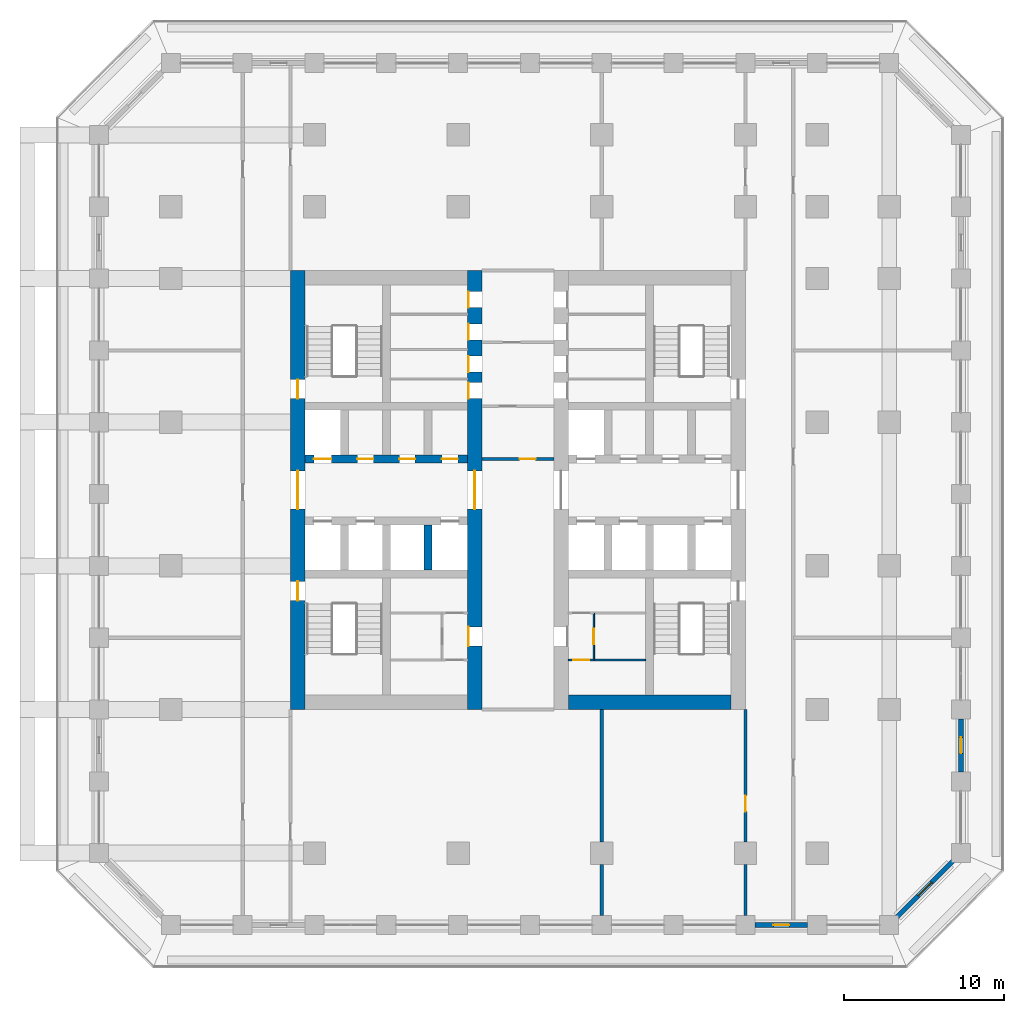
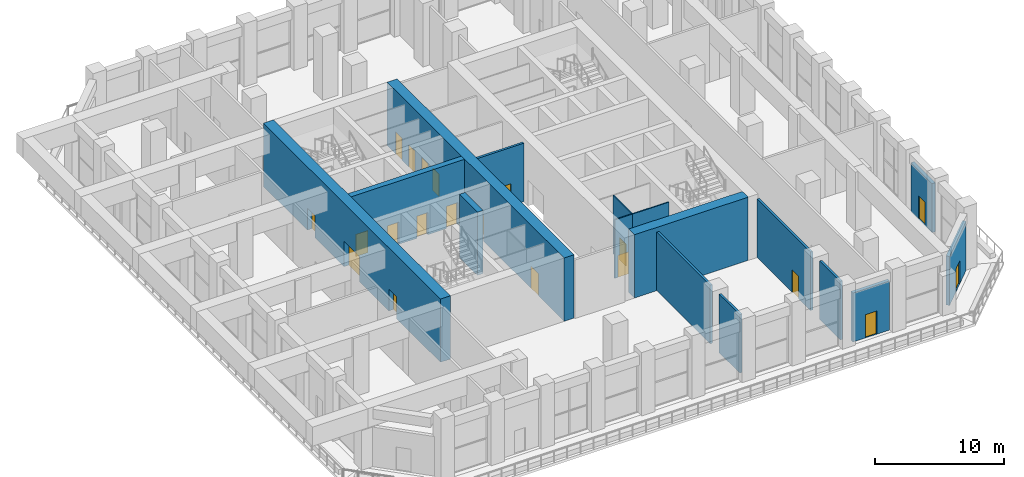
# One storey, part 13 of 24: 20 doors, 16 walls, 20 openings.
"""IFC4 building model written with IfcOpenShell, lengths in metres."""

import ifcopenshell
import ifcopenshell.guid

model = None  # the IFC model being written
_history = None  # IfcOwnerHistory: only IFC2X3 demands one
_inside = {}  # id of a spatial element -> (the spatial element, [elements in it])
_under = {}  # id of a project, library or spatial element -> (it, [spatial elements below it])
_declared = {}  # id of a project -> (the project, [libraries it declares])
_typed = {}  # id of a type object -> (the type object, [elements of that type])
_made_of = {}  # id of a material, layer set ... -> (it, [elements and type objects made of it])


def new_model(schema):
    """Start an empty IFC model of exactly this schema.

    Asked for "IFC4X3", IfcOpenShell would pick the latest addendum, in which some entities
    have other attributes; the version numbers below select the first issue.
    IFC2X3 requires an IfcOwnerHistory on every rooted entity: one is made here for all.
    """
    global model, _history
    if schema == "IFC4X3":
        model = ifcopenshell.file(schema_version=(4, 3, 0, 0))
    else:
        model = ifcopenshell.file(schema=schema)
    _inside.clear()
    _under.clear()
    _declared.clear()
    _typed.clear()
    _made_of.clear()
    _history = None
    if model.schema == "IFC2X3":
        org = make("IfcOrganization", Name="unknown")
        user = make(
            "IfcPersonAndOrganization",
            ThePerson=make("IfcPerson", FamilyName="unknown"),
            TheOrganization=org,
        )
        app = make(
            "IfcApplication",
            ApplicationDeveloper=org,
            Version="unknown",
            ApplicationFullName="unknown",
            ApplicationIdentifier="unknown",
        )
        _history = make(
            "IfcOwnerHistory",
            OwningUser=user,
            OwningApplication=app,
            ChangeAction="ADDED",
            CreationDate=0,
        )
    return model


def make(cls, **values):
    """One entity of the class cls with the attributes given. An attribute that is None is left unset."""
    return model.create_entity(
        cls, **{name: value for name, value in values.items() if value is not None}
    )


def rooted(cls, **values):
    """An entity with a GlobalId (a new one), such as an element, a storey or a relation."""
    return make(cls, GlobalId=ifcopenshell.guid.new(), OwnerHistory=_history, **values)


def si_unit(unit_type, name, prefix=None):
    """IfcSIUnit, for example si_unit("LENGTHUNIT", "METRE", prefix="MILLI")."""
    return make("IfcSIUnit", UnitType=unit_type, Prefix=prefix, Name=name)


def assignment(units):
    """IfcUnitAssignment: the units of a project."""
    return None if units is None else make("IfcUnitAssignment", Units=units)


def point(xyz):
    """IfcCartesianPoint."""
    return None if xyz is None else make("IfcCartesianPoint", Coordinates=xyz)


def direction(xyz):
    """IfcDirection."""
    return None if xyz is None else make("IfcDirection", DirectionRatios=xyz)


def frame(location, z_axis=None, x_axis=None):
    """IfcAxis2Placement3D, a coordinate frame: its origin and axes. An axis left out is left unset."""
    return make(
        "IfcAxis2Placement3D",
        Location=point(location),
        Axis=direction(z_axis),
        RefDirection=direction(x_axis),
    )


def frame_2d(location, x_axis=None):
    """IfcAxis2Placement2D, a coordinate frame in the plane: its origin and x axis."""
    return make(
        "IfcAxis2Placement2D", Location=point(location), RefDirection=direction(x_axis)
    )


def origin():
    """The frame at (0, 0, 0) with its axes left unset."""
    return frame((0.0, 0.0, 0.0))


def place(relative_to, where):
    """IfcLocalPlacement: puts the frame where relative to a parent placement (None: the world)."""
    return make(
        "IfcLocalPlacement", PlacementRelTo=relative_to, RelativePlacement=where
    )


def context(
    kind, dimensions, precision=None, world=None, true_north=None, identifier=None
):
    """IfcGeometricRepresentationContext, for example the 3D "Model" context."""
    return make(
        "IfcGeometricRepresentationContext",
        ContextIdentifier=identifier,
        ContextType=kind,
        CoordinateSpaceDimension=dimensions,
        Precision=precision,
        WorldCoordinateSystem=world,
        TrueNorth=true_north,
    )


def subcontext(parent, identifier, kind, view, scale=None):
    """IfcGeometricRepresentationSubContext, for example "Body" below "Model"."""
    return make(
        "IfcGeometricRepresentationSubContext",
        ContextIdentifier=identifier,
        ContextType=kind,
        ParentContext=parent,
        TargetScale=scale,
        TargetView=view,
    )


def project(units=None, contexts=None):
    """IfcProject with its units and contexts."""
    return rooted(
        "IfcProject",
        Name="project",
        RepresentationContexts=contexts,
        UnitsInContext=assignment(units),
    )


def spatial(cls, under=None, at=None, **own):
    """A site, building, storey or space (cls), placed at a placement, below another one or the project."""
    s = rooted(cls, ObjectPlacement=at, **own)
    if under is not None:
        _under.setdefault(under.id(), (under, []))[1].append(s)
    return s


def profile(cls, at=None, kind="AREA", **sizes):
    """A parametric profile (cls). Its sizes go by their IFC names, for example OverallWidth=200.0."""
    return make(cls, ProfileType=kind, Position=at, **sizes)


def rectangle(**sizes):
    """IfcRectangleProfileDef."""
    return profile("IfcRectangleProfileDef", **sizes)


def extrude(swept, where, along, depth):
    """IfcExtrudedAreaSolid: the profile swept, set in the frame where, extruded along a direction by depth."""
    return make(
        "IfcExtrudedAreaSolid",
        SweptArea=swept,
        Position=where,
        ExtrudedDirection=direction(along),
        Depth=depth,
    )


def shape(context_of_items, identifier, shape_type, items):
    """IfcShapeRepresentation: the items that make up one representation, for example the "Body"."""
    return make(
        "IfcShapeRepresentation",
        ContextOfItems=context_of_items,
        RepresentationIdentifier=identifier,
        RepresentationType=shape_type,
        Items=items,
    )


def material(Name=None, Category=None):
    """IfcMaterial."""
    return make("IfcMaterial", Name=Name, Category=Category)


def layer(
    of_material, thickness, ventilated=None, Name=None, Category=None, Priority=None
):
    """IfcMaterialLayer: one layer of a wall or slab, of a material (None: an air gap)."""
    return make(
        "IfcMaterialLayer",
        Material=of_material,
        LayerThickness=thickness,
        IsVentilated=ventilated,
        Name=Name,
        Category=Category,
        Priority=Priority,
    )


def layer_set(layers, Name=None):
    """IfcMaterialLayerSet."""
    return make("IfcMaterialLayerSet", MaterialLayers=layers, LayerSetName=Name)


def made_of(thing, what):
    """Note that an element or type object is made of a material, layer set ...; save() writes the relation."""
    if what is not None:
        _made_of.setdefault(what.id(), (what, []))[1].append(thing)
    return thing


def type_object(cls, material=None, **own):
    """A type object (cls), such as IfcWallType, which elements share."""
    return made_of(rooted(cls, **own), material)


def element(
    cls,
    number,
    at=None,
    inside=None,
    cuts=None,
    type_object=None,
    material=None,
    context=None,
    identifier="Body",
    shape_type=None,
    held_by="IfcProductDefinitionShape",
    body=None,
    shapes=None,
    **own,
):
    """One element of the class cls, such as IfcWall. Its Tag is "e" and its number.

    at: its placement. inside: the storey or other place that contains it. cuts: it is an
    opening in that element (IfcRelVoidsElement). A single representation is given by context,
    identifier, shape_type and body (its items); several are given by shapes. held_by: the class
    of the entity that holds the representations. save() writes the other relations.
    """
    e = rooted(cls, Tag="e%d" % number, ObjectPlacement=at, **own)
    if body is not None:
        shapes = [shape(context, identifier, shape_type, body)]
    if shapes is not None:
        e.Representation = make(held_by, Representations=shapes)
    if inside is not None:
        _inside.setdefault(inside.id(), (inside, []))[1].append(e)
    if cuts is not None:
        rooted(
            "IfcRelVoidsElement", RelatingBuildingElement=cuts, RelatedOpeningElement=e
        )
    if type_object is not None:
        _typed.setdefault(type_object.id(), (type_object, []))[1].append(e)
    return made_of(e, material)


def fill(opening, filler):
    """IfcRelFillsElement: the door or window that sits in an opening."""
    return rooted(
        "IfcRelFillsElement",
        RelatingOpeningElement=opening,
        RelatedBuildingElement=filler,
    )


def aggregate(whole, parts):
    """IfcRelAggregates: a whole, such as a stair, and the parts it consists of."""
    return rooted("IfcRelAggregates", RelatingObject=whole, RelatedObjects=parts)


def save(model, path):
    """Write the relations noted so far, then the file.

    IfcRelAggregates (storeys below a building ...), IfcRelContainedInSpatialStructure (elements
    in a storey), IfcRelDefinesByType, IfcRelAssociatesMaterial and IfcRelDeclares: one each for
    every whole, place, type object, material and project.
    """
    for whole, parts in _under.values():
        aggregate(whole, parts)
    for where, things in _inside.values():
        rooted(
            "IfcRelContainedInSpatialStructure",
            RelatedElements=things,
            RelatingStructure=where,
        )
    for kind, things in _typed.values():
        rooted("IfcRelDefinesByType", RelatedObjects=things, RelatingType=kind)
    for what, things in _made_of.values():
        rooted("IfcRelAssociatesMaterial", RelatedObjects=things, RelatingMaterial=what)
    for by, libraries in _declared.values():
        rooted("IfcRelDeclares", RelatingContext=by, RelatedDefinitions=libraries)
    model.write(path)


model = new_model("IFC4")

# Units and contexts
model_context = context("Model", 3, precision=1e-05, world=origin(), true_north=direction((0.0, 1.0)))
body_context = subcontext(model_context, "Body", "Model", "MODEL_VIEW")
ifc_project = project(units=[si_unit("LENGTHUNIT", "METRE"), si_unit("AREAUNIT", "SQUARE_METRE"), si_unit("VOLUMEUNIT", "CUBIC_METRE"), si_unit("PLANEANGLEUNIT", "RADIAN"), si_unit("MASSUNIT", "GRAM", prefix="KILO")], contexts=[model_context])

# Site, building, storey
site_placement = place(None, origin())
site = spatial("IfcSite", under=ifc_project, at=site_placement, CompositionType="ELEMENT")
building_placement = place(site_placement, origin())
building = spatial("IfcBuilding", under=site, at=building_placement, Name="Corbel Stack Research Tower", CompositionType="ELEMENT")
storey_placement = place(building_placement, frame((0.0, 0.0, 110.699951171875)))
storey = spatial("IfcBuildingStorey", under=building, at=storey_placement, Name="L25", CompositionType="ELEMENT", Elevation=110.699951171875)

# Wall, openings, doors
ifc_material_1 = material(Name="Concrete C70/85", Category="concrete")
ifc_layer_1 = layer(ifc_material_1, 0.5)
ifc_layer_set_1 = layer_set([ifc_layer_1], Name="Concrete C70/85")
wall_type_1 = type_object("IfcWallType", Name="CW-500-70", PredefinedType="SHEAR", material=ifc_layer_set_1)
wall_1_placement = place(storey_placement, frame((-9.60009765625, 6.699951171875, 0.0), z_axis=(0.0, 0.0, 1.0), x_axis=(1.0, 0.0, 0.0)))
wall_1 = element("IfcWall", 1, at=wall_1_placement, inside=storey, type_object=wall_type_1, Name="West core wall, lobby north L25", PredefinedType="SHEAR", context=body_context, shape_type="SweptSolid", body=[
    extrude(rectangle(XDim=10.2001953125, YDim=0.5, at=frame_2d((5.10009765625, 0.0))), origin(), (0.0, 0.0, 1.0), 6.0),
])
opening_1_placement = place(wall_1_placement, frame((0.5625, 0.0, 0.0)))
opening_1 = element("IfcOpeningElement", 2, at=opening_1_placement, cuts=wall_1, Name="Opening LD-LR2", PredefinedType="OPENING", context=body_context, shape_type="SweptSolid", body=[
    extrude(rectangle(XDim=1.10009765625, YDim=2.10009765625, at=frame_2d((0.550048828125, 1.050048828125))), frame((0.0, 0.260009765625, 0.0), z_axis=(0.0, -1.0, 0.0), x_axis=(1.0, 0.0, 0.0)), (0.0, 0.0, 1.0), 0.52001953125),
])
opening_2_placement = place(wall_1_placement, frame((3.28759765625, 0.0, 0.0)))
opening_2 = element("IfcOpeningElement", 3, at=opening_2_placement, cuts=wall_1, Name="Opening CR-W36-N2", PredefinedType="OPENING", context=body_context, shape_type="SweptSolid", body=[
    extrude(rectangle(XDim=1.0, YDim=2.10009765625, at=frame_2d((0.5, 1.050048828125))), frame((0.0, 0.260009765625, 0.0), z_axis=(0.0, -1.0, 0.0), x_axis=(1.0, 0.0, 0.0)), (0.0, 0.0, 1.0), 0.52001953125),
])
opening_3_placement = place(wall_1_placement, frame((5.91259765625, 0.0, 0.0)))
opening_3 = element("IfcOpeningElement", 4, at=opening_3_placement, cuts=wall_1, Name="Opening CR-W36-N3", PredefinedType="OPENING", context=body_context, shape_type="SweptSolid", body=[
    extrude(rectangle(XDim=1.0, YDim=2.10009765625, at=frame_2d((0.5, 1.050048828125))), frame((0.0, 0.260009765625, 0.0), z_axis=(0.0, -1.0, 0.0), x_axis=(1.0, 0.0, 0.0)), (0.0, 0.0, 1.0), 0.52001953125),
])
opening_4_placement = place(wall_1_placement, frame((8.58740234375, 0.0, 0.0)))
opening_4 = element("IfcOpeningElement", 5, at=opening_4_placement, cuts=wall_1, Name="Opening CR-W36-N4", PredefinedType="OPENING", context=body_context, shape_type="SweptSolid", body=[
    extrude(rectangle(XDim=1.0, YDim=2.10009765625, at=frame_2d((0.5, 1.050048828125))), frame((0.0, 0.260009765625, 0.0), z_axis=(0.0, -1.0, 0.0), x_axis=(1.0, 0.0, 0.0)), (0.0, 0.0, 1.0), 0.52001953125),
])
ifc_material_2 = material(Name="Stainless steel landing door", Category="steel")
door_type_1 = type_object("IfcDoorType", Name="Lift landing door 1100 x 2100", OperationType="DOUBLE_DOOR_SLIDING", PredefinedType="DOOR", material=ifc_material_2)
door_1_placement = place(opening_1_placement, origin())
door_1 = element("IfcDoor", 6, at=door_1_placement, inside=storey, type_object=door_type_1, Name="Landing door LR2", OperationType="DOUBLE_DOOR_SLIDING", OverallHeight=2.10009765625, OverallWidth=1.10009765625, PredefinedType="DOOR", context=body_context, shape_type="SweptSolid", body=[
    extrude(rectangle(XDim=1.10009765625, YDim=2.10009765625, at=frame_2d((0.550048828125, 1.050048828125))), frame((0.0, 0.02490234375, 0.0), z_axis=(0.0, -1.0, 0.0), x_axis=(1.0, 0.0, 0.0)), (0.0, 0.0, 1.0), 0.050048828125),
])
fill(opening_1, door_1)
ifc_material_3 = material(Name="Painted steel door", Category="steel")
door_type_2 = type_object("IfcDoorType", Name="Service door 1000 x 2100 FD60 left hand", OperationType="SINGLE_SWING_LEFT", PredefinedType="DOOR", material=ifc_material_3)
door_2_placement = place(opening_3_placement, origin())
door_2 = element("IfcDoor", 7, at=door_2_placement, inside=storey, type_object=door_type_2, Name="Electrical room door W core", OperationType="SINGLE_SWING_LEFT", OverallHeight=2.10009765625, OverallWidth=1.0, PredefinedType="DOOR", context=body_context, shape_type="SweptSolid", body=[
    extrude(rectangle(XDim=1.0, YDim=2.10009765625, at=frame_2d((0.5, 1.050048828125))), frame((0.0, 0.02490234375, 0.0), z_axis=(0.0, -1.0, 0.0), x_axis=(1.0, 0.0, 0.0)), (0.0, 0.0, 1.0), 0.050048828125),
])
fill(opening_3, door_2)
ifc_material_4 = material(Name="Painted steel door", Category="steel")
door_type_3 = type_object("IfcDoorType", Name="Service door 1000 x 2100 FD60 right hand", OperationType="SINGLE_SWING_RIGHT", PredefinedType="DOOR", material=ifc_material_4)
door_3_placement = place(opening_2_placement, origin())
door_3 = element("IfcDoor", 8, at=door_3_placement, inside=storey, type_object=door_type_3, Name="Records store door W core", OperationType="SINGLE_SWING_RIGHT", OverallHeight=2.10009765625, OverallWidth=1.0, PredefinedType="DOOR", context=body_context, shape_type="SweptSolid", body=[
    extrude(rectangle(XDim=1.0, YDim=2.10009765625, at=frame_2d((0.5, 1.050048828125))), frame((0.0, 0.02490234375, 0.0), z_axis=(0.0, -1.0, 0.0), x_axis=(1.0, 0.0, 0.0)), (0.0, 0.0, 1.0), 0.050048828125),
])
fill(opening_2, door_3)
door_4_placement = place(opening_4_placement, origin())
door_4 = element("IfcDoor", 9, at=door_4_placement, inside=storey, type_object=door_type_3, Name="Pantry door W core", OperationType="SINGLE_SWING_RIGHT", OverallHeight=2.10009765625, OverallWidth=1.0, PredefinedType="DOOR", context=body_context, shape_type="SweptSolid", body=[
    extrude(rectangle(XDim=1.0, YDim=2.10009765625, at=frame_2d((0.5, 1.050048828125))), frame((0.0, 0.02490234375, 0.0), z_axis=(0.0, -1.0, 0.0), x_axis=(1.0, 0.0, 0.0)), (0.0, 0.0, 1.0), 0.050048828125),
])
fill(opening_4, door_4)

# Wall
wall_2_placement = place(storey_placement, frame((-1.875, -0.25, 0.0), z_axis=(0.0, 0.0, 1.0), x_axis=(0.0, 1.0, 0.0)))
element("IfcWall", 10, at=wall_2_placement, inside=storey, type_object=wall_type_1, Name="West core wall, south shaft 3 L25", PredefinedType="SHEAR", context=body_context, shape_type="SweptSolid", body=[
    extrude(rectangle(XDim=2.800048828125, YDim=0.5, at=frame_2d((1.39990234375, 0.0))), origin(), (0.0, 0.0, 1.0), 6.0),
])

# Wall, openings, doors
ifc_material_5 = material(Name="Concrete C70/85", Category="concrete")
ifc_layer_2 = layer(ifc_material_5, 0.89990234375)
ifc_layer_set_2 = layer_set([ifc_layer_2], Name="Concrete C70/85")
wall_type_2 = type_object("IfcWallType", Name="CW-900-70", PredefinedType="SHEAR", material=ifc_layer_set_2)
wall_3_placement = place(storey_placement, frame((-10.050048828125, -9.0, 0.0), z_axis=(0.0, 0.0, 1.0), x_axis=(0.0, 1.0, 0.0)))
wall_3 = element("IfcWall", 11, at=wall_3_placement, inside=storey, type_object=wall_type_2, Name="West core wall, west face L25", PredefinedType="SHEAR", context=body_context, shape_type="SweptSolid", body=[
    extrude(rectangle(XDim=27.5, YDim=0.89990234375, at=frame_2d((13.75, 0.0))), origin(), (0.0, 0.0, 1.0), 6.0),
])
opening_5_placement = place(wall_3_placement, frame((12.550048828125, 0.0, 0.0)))
opening_5 = element("IfcOpeningElement", 12, at=opening_5_placement, cuts=wall_3, Name="Opening CD-W-W", PredefinedType="OPENING", context=body_context, shape_type="SweptSolid", body=[
    extrude(rectangle(XDim=2.39990234375, YDim=2.39990234375, at=frame_2d((1.199951171875, 1.199951171875))), frame((0.0, 0.4599609375, 0.0), z_axis=(0.0, -1.0, 0.0), x_axis=(1.0, 0.0, 0.0)), (0.0, 0.0, 1.0), 0.919921875),
])
opening_6_placement = place(wall_3_placement, frame((6.824951171875, 0.0, 0.0)))
opening_6 = element("IfcOpeningElement", 13, at=opening_6_placement, cuts=wall_3, Name="Opening SD-ST-W1", PredefinedType="OPENING", context=body_context, shape_type="SweptSolid", body=[
    extrude(rectangle(XDim=1.199951171875, YDim=2.10009765625, at=frame_2d((0.60009765625, 1.050048828125))), frame((0.0, 0.4599609375, 0.0), z_axis=(0.0, -1.0, 0.0), x_axis=(1.0, 0.0, 0.0)), (0.0, 0.0, 1.0), 0.919921875),
])
opening_7_placement = place(wall_3_placement, frame((19.47509765625, 0.0, 0.0)))
opening_7 = element("IfcOpeningElement", 14, at=opening_7_placement, cuts=wall_3, Name="Opening SD-ST-W2", PredefinedType="OPENING", context=body_context, shape_type="SweptSolid", body=[
    extrude(rectangle(XDim=1.199951171875, YDim=2.10009765625, at=frame_2d((0.60009765625, 1.050048828125))), frame((0.0, 0.4599609375, 0.0), z_axis=(0.0, -1.0, 0.0), x_axis=(1.0, 0.0, 0.0)), (0.0, 0.0, 1.0), 0.919921875),
])
ifc_material_6 = material(Name="Painted steel fire door", Category="steel")
door_type_4 = type_object("IfcDoorType", Name="Lobby door pair 2400 x 2400 FD30S", OperationType="DOUBLE_DOOR_DOUBLE_SWING", PredefinedType="DOOR", material=ifc_material_6)
door_5_placement = place(opening_5_placement, origin())
door_5 = element("IfcDoor", 15, at=door_5_placement, inside=storey, type_object=door_type_4, Name="Lift lobby door W core W", OperationType="DOUBLE_DOOR_DOUBLE_SWING", OverallHeight=2.39990234375, OverallWidth=2.39990234375, PredefinedType="DOOR", context=body_context, shape_type="SweptSolid", body=[
    extrude(rectangle(XDim=2.39990234375, YDim=2.39990234375, at=frame_2d((1.199951171875, 1.199951171875))), frame((0.0, 0.02490234375, 0.0), z_axis=(0.0, -1.0, 0.0), x_axis=(1.0, 0.0, 0.0)), (0.0, 0.0, 1.0), 0.050048828125),
])
fill(opening_5, door_5)
ifc_material_7 = material(Name="Painted steel fire door", Category="steel")
door_type_5 = type_object("IfcDoorType", Name="Stair door 1200 x 2100 FD90 left hand", OperationType="SINGLE_SWING_LEFT", PredefinedType="DOOR", material=ifc_material_7)
door_6_placement = place(opening_6_placement, origin())
door_6 = element("IfcDoor", 16, at=door_6_placement, inside=storey, type_object=door_type_5, Name="Stair door ST-W1", OperationType="SINGLE_SWING_LEFT", OverallHeight=2.10009765625, OverallWidth=1.199951171875, PredefinedType="DOOR", context=body_context, shape_type="SweptSolid", body=[
    extrude(rectangle(XDim=1.199951171875, YDim=2.10009765625, at=frame_2d((0.60009765625, 1.050048828125))), frame((0.0, 0.02490234375, 0.0), z_axis=(0.0, -1.0, 0.0), x_axis=(1.0, 0.0, 0.0)), (0.0, 0.0, 1.0), 0.050048828125),
])
fill(opening_6, door_6)
door_7_placement = place(opening_7_placement, origin())
door_7 = element("IfcDoor", 17, at=door_7_placement, inside=storey, type_object=door_type_5, Name="Stair door ST-W2", OperationType="SINGLE_SWING_LEFT", OverallHeight=2.10009765625, OverallWidth=1.199951171875, PredefinedType="DOOR", context=body_context, shape_type="SweptSolid", body=[
    extrude(rectangle(XDim=1.199951171875, YDim=2.10009765625, at=frame_2d((0.60009765625, 1.050048828125))), frame((0.0, 0.02490234375, 0.0), z_axis=(0.0, -1.0, 0.0), x_axis=(1.0, 0.0, 0.0)), (0.0, 0.0, 1.0), 0.050048828125),
])
fill(opening_7, door_7)

wall_4_placement = place(storey_placement, frame((1.050048828125, -9.0, 0.0), z_axis=(0.0, 0.0, 1.0), x_axis=(0.0, 1.0, 0.0)))
wall_4 = element("IfcWall", 18, at=wall_4_placement, inside=storey, type_object=wall_type_2, Name="West core wall, east face L25", PredefinedType="SHEAR", context=body_context, shape_type="SweptSolid", body=[
    extrude(rectangle(XDim=27.5, YDim=0.89990234375, at=frame_2d((13.75, 0.0))), origin(), (0.0, 0.0, 1.0), 6.0),
])
opening_8_placement = place(wall_4_placement, frame((12.550048828125, 0.0, 0.0)))
opening_8 = element("IfcOpeningElement", 19, at=opening_8_placement, cuts=wall_4, Name="Opening CD-W-E", PredefinedType="OPENING", context=body_context, shape_type="SweptSolid", body=[
    extrude(rectangle(XDim=2.39990234375, YDim=2.39990234375, at=frame_2d((1.199951171875, 1.199951171875))), frame((0.0, 0.4599609375, 0.0), z_axis=(0.0, -1.0, 0.0), x_axis=(1.0, 0.0, 0.0)), (0.0, 0.0, 1.0), 0.919921875),
])
opening_9_placement = place(wall_4_placement, frame((3.97509765625, 0.0, 0.0)))
opening_9 = element("IfcOpeningElement", 20, at=opening_9_placement, cuts=wall_4, Name="Opening CR-W36-W1-1200", PredefinedType="OPENING", context=body_context, shape_type="SweptSolid", body=[
    extrude(rectangle(XDim=1.199951171875, YDim=2.10009765625, at=frame_2d((0.60009765625, 1.050048828125))), frame((0.0, 0.4599609375, 0.0), z_axis=(0.0, -1.0, 0.0), x_axis=(1.0, 0.0, 0.0)), (0.0, 0.0, 1.0), 0.919921875),
])
opening_10_placement = place(wall_4_placement, frame((19.485107421875, 0.0, 0.0)))
opening_10 = element("IfcOpeningElement", 21, at=opening_10_placement, cuts=wall_4, Name="Opening CR-W36-R1-1000", PredefinedType="OPENING", context=body_context, shape_type="SweptSolid", body=[
    extrude(rectangle(XDim=1.0, YDim=2.10009765625, at=frame_2d((0.5, 1.050048828125))), frame((0.0, 0.4599609375, 0.0), z_axis=(0.0, -1.0, 0.0), x_axis=(1.0, 0.0, 0.0)), (0.0, 0.0, 1.0), 0.919921875),
])
opening_11_placement = place(wall_4_placement, frame((21.138916015625, 0.0, 0.0)))
opening_11 = element("IfcOpeningElement", 22, at=opening_11_placement, cuts=wall_4, Name="Opening CR-W36-R2-1000", PredefinedType="OPENING", context=body_context, shape_type="SweptSolid", body=[
    extrude(rectangle(XDim=1.0, YDim=2.10009765625, at=frame_2d((0.5, 1.050048828125))), frame((0.0, 0.4599609375, 0.0), z_axis=(0.0, -1.0, 0.0), x_axis=(1.0, 0.0, 0.0)), (0.0, 0.0, 1.0), 0.919921875),
])
opening_12_placement = place(wall_4_placement, frame((23.159912109375, 0.0, 0.0)))
opening_12 = element("IfcOpeningElement", 23, at=opening_12_placement, cuts=wall_4, Name="Opening CR-W36-R3-1000", PredefinedType="OPENING", context=body_context, shape_type="SweptSolid", body=[
    extrude(rectangle(XDim=1.0, YDim=2.10009765625, at=frame_2d((0.5, 1.050048828125))), frame((0.0, 0.4599609375, 0.0), z_axis=(0.0, -1.0, 0.0), x_axis=(1.0, 0.0, 0.0)), (0.0, 0.0, 1.0), 0.919921875),
])
opening_13_placement = place(wall_4_placement, frame((25.18115234375, 0.0, 0.0)))
opening_13 = element("IfcOpeningElement", 24, at=opening_13_placement, cuts=wall_4, Name="Opening CR-W36-R4-1000", PredefinedType="OPENING", context=body_context, shape_type="SweptSolid", body=[
    extrude(rectangle(XDim=1.0, YDim=2.10009765625, at=frame_2d((0.5, 1.050048828125))), frame((0.0, 0.4599609375, 0.0), z_axis=(0.0, -1.0, 0.0), x_axis=(1.0, 0.0, 0.0)), (0.0, 0.0, 1.0), 0.919921875),
])
door_8_placement = place(opening_8_placement, origin())
door_8 = element("IfcDoor", 25, at=door_8_placement, inside=storey, type_object=door_type_4, Name="Lift lobby door W core E", OperationType="DOUBLE_DOOR_DOUBLE_SWING", OverallHeight=2.39990234375, OverallWidth=2.39990234375, PredefinedType="DOOR", context=body_context, shape_type="SweptSolid", body=[
    extrude(rectangle(XDim=2.39990234375, YDim=2.39990234375, at=frame_2d((1.199951171875, 1.199951171875))), frame((0.0, 0.02490234375, 0.0), z_axis=(0.0, -1.0, 0.0), x_axis=(1.0, 0.0, 0.0)), (0.0, 0.0, 1.0), 0.050048828125),
])
fill(opening_8, door_8)
ifc_material_8 = material(Name="Painted steel door", Category="steel")
door_type_6 = type_object("IfcDoorType", Name="Riser door 1000 x 2100 FD60 left hand", OperationType="SINGLE_SWING_LEFT", PredefinedType="DOOR", material=ifc_material_8)
door_9_placement = place(opening_10_placement, origin())
door_9 = element("IfcDoor", 26, at=door_9_placement, inside=storey, type_object=door_type_6, Name="Electrical riser door W core", OperationType="SINGLE_SWING_LEFT", OverallHeight=2.10009765625, OverallWidth=1.0, PredefinedType="DOOR", context=body_context, shape_type="SweptSolid", body=[
    extrude(rectangle(XDim=1.0, YDim=2.10009765625, at=frame_2d((0.5, 1.050048828125))), frame((0.0, 0.4248046875, 0.0), z_axis=(0.0, -1.0, 0.0), x_axis=(1.0, 0.0, 0.0)), (0.0, 0.0, 1.0), 0.050048828125),
])
fill(opening_10, door_9)
ifc_material_9 = material(Name="Painted steel door", Category="steel")
door_type_7 = type_object("IfcDoorType", Name="Riser door 1000 x 2100 FD60 right hand", OperationType="SINGLE_SWING_RIGHT", PredefinedType="DOOR", material=ifc_material_9)
door_10_placement = place(opening_11_placement, origin())
door_10 = element("IfcDoor", 27, at=door_10_placement, inside=storey, type_object=door_type_7, Name="Telecom room door W core", OperationType="SINGLE_SWING_RIGHT", OverallHeight=2.10009765625, OverallWidth=1.0, PredefinedType="DOOR", context=body_context, shape_type="SweptSolid", body=[
    extrude(rectangle(XDim=1.0, YDim=2.10009765625, at=frame_2d((0.5, 1.050048828125))), frame((0.0, 0.4248046875, 0.0), z_axis=(0.0, -1.0, 0.0), x_axis=(1.0, 0.0, 0.0)), (0.0, 0.0, 1.0), 0.050048828125),
])
fill(opening_11, door_10)
ifc_material_10 = material(Name="Painted steel door", Category="steel")
door_type_8 = type_object("IfcDoorType", Name="Service door 1000 x 2100 FD30 left hand", OperationType="SINGLE_SWING_LEFT", PredefinedType="DOOR", material=ifc_material_10)
door_11_placement = place(opening_12_placement, origin())
door_11 = element("IfcDoor", 28, at=door_11_placement, inside=storey, type_object=door_type_8, Name="Pantry door W core", OperationType="SINGLE_SWING_LEFT", OverallHeight=2.10009765625, OverallWidth=1.0, PredefinedType="DOOR", context=body_context, shape_type="SweptSolid", body=[
    extrude(rectangle(XDim=1.0, YDim=2.10009765625, at=frame_2d((0.5, 1.050048828125))), frame((0.0, 0.4248046875, 0.0), z_axis=(0.0, -1.0, 0.0), x_axis=(1.0, 0.0, 0.0)), (0.0, 0.0, 1.0), 0.050048828125),
])
fill(opening_12, door_11)
ifc_material_11 = material(Name="Painted steel door", Category="steel")
door_type_9 = type_object("IfcDoorType", Name="Service door 1000 x 2100 FD30 right hand", OperationType="SINGLE_SWING_RIGHT", PredefinedType="DOOR", material=ifc_material_11)
door_12_placement = place(opening_13_placement, origin())
door_12 = element("IfcDoor", 29, at=door_12_placement, inside=storey, type_object=door_type_9, Name="Cleaner's store door W core", OperationType="SINGLE_SWING_RIGHT", OverallHeight=2.10009765625, OverallWidth=1.0, PredefinedType="DOOR", context=body_context, shape_type="SweptSolid", body=[
    extrude(rectangle(XDim=1.0, YDim=2.10009765625, at=frame_2d((0.5, 1.050048828125))), frame((0.0, 0.4248046875, 0.0), z_axis=(0.0, -1.0, 0.0), x_axis=(1.0, 0.0, 0.0)), (0.0, 0.0, 1.0), 0.050048828125),
])
fill(opening_13, door_12)
ifc_material_12 = material(Name="Painted timber door", Category="wood")
door_type_10 = type_object("IfcDoorType", Name="WC door 1200 x 2100 left hand", OperationType="SINGLE_SWING_LEFT", PredefinedType="DOOR", material=ifc_material_12)
door_13_placement = place(opening_9_placement, origin())
door_13 = element("IfcDoor", 30, at=door_13_placement, inside=storey, type_object=door_type_10, Name="WC lobby door W core", OperationType="SINGLE_SWING_LEFT", OverallHeight=2.10009765625, OverallWidth=1.199951171875, PredefinedType="DOOR", context=body_context, shape_type="SweptSolid", body=[
    extrude(rectangle(XDim=1.199951171875, YDim=2.10009765625, at=frame_2d((0.60009765625, 1.050048828125))), frame((0.0, 0.4248046875, 0.0), z_axis=(0.0, -1.0, 0.0), x_axis=(1.0, 0.0, 0.0)), (0.0, 0.0, 1.0), 0.050048828125),
])
fill(opening_9, door_13)

# Wall
wall_5_placement = place(storey_placement, frame((6.89990234375, -8.550048828125, 0.0), z_axis=(0.0, 0.0, 1.0), x_axis=(1.0, 0.0, 0.0)))
element("IfcWall", 31, at=wall_5_placement, inside=storey, type_object=wall_type_2, Name="East core wall, south end L25", PredefinedType="SHEAR", context=body_context, shape_type="SweptSolid", body=[
    extrude(rectangle(XDim=10.2001953125, YDim=0.89990234375, at=frame_2d((5.10009765625, 0.0))), origin(), (0.0, 0.0, 1.0), 6.0),
])

# Wall, opening, door
ifc_material_13 = material(Name="Gypsum board")
ifc_layer_3 = layer(ifc_material_13, 0.10009765625)
ifc_layer_set_3 = layer_set([ifc_layer_3], Name="Gypsum board")
wall_type_3 = type_object("IfcWallType", Name="Core partition 100", PredefinedType="PARTITIONING", material=ifc_layer_set_3)
wall_6_placement = place(storey_placement, frame((6.89990234375, -5.89501953125, 0.0), z_axis=(0.0, 0.0, 1.0), x_axis=(1.0, 0.0, 0.0)))
wall_6 = element("IfcWall", 32, at=wall_6_placement, inside=storey, type_object=wall_type_3, Name="Core partition E", PredefinedType="PARTITIONING", context=body_context, shape_type="SweptSolid", body=[
    extrude(rectangle(XDim=1.60009765625, YDim=0.10009765625, at=frame_2d((0.800048828125, 0.0))), origin(), (0.0, 0.0, 1.0), 5.550048828125),
])
opening_14_placement = place(wall_6_placement, frame((0.300048828125, 0.0, 0.0)))
opening_14 = element("IfcOpeningElement", 33, at=opening_14_placement, cuts=wall_6, Name="Opening CR-E36-W2-1000", PredefinedType="OPENING", context=body_context, shape_type="SweptSolid", body=[
    extrude(rectangle(XDim=1.0, YDim=2.10009765625, at=frame_2d((0.5, 1.050048828125))), frame((0.0, 0.06005859375, 0.0), z_axis=(0.0, -1.0, 0.0), x_axis=(1.0, 0.0, 0.0)), (0.0, 0.0, 1.0), 0.1201171875),
])
ifc_material_14 = material(Name="Painted timber door", Category="wood")
door_type_11 = type_object("IfcDoorType", Name="WC door 1000 x 2100 left hand", OperationType="SINGLE_SWING_LEFT", PredefinedType="DOOR", material=ifc_material_14)
door_14_placement = place(opening_14_placement, origin())
door_14 = element("IfcDoor", 34, at=door_14_placement, inside=storey, type_object=door_type_11, Name="Men's WC door E core", OperationType="SINGLE_SWING_LEFT", OverallHeight=2.10009765625, OverallWidth=1.0, PredefinedType="DOOR", context=body_context, shape_type="SweptSolid", body=[
    extrude(rectangle(XDim=1.0, YDim=2.10009765625, at=frame_2d((0.5, 1.050048828125))), frame((0.0, 0.02490234375, 0.0), z_axis=(0.0, -1.0, 0.0), x_axis=(1.0, 0.0, 0.0)), (0.0, 0.0, 1.0), 0.050048828125),
])
fill(opening_14, door_14)

wall_7_placement = place(storey_placement, frame((8.5, -5.89501953125, 0.0), z_axis=(0.0, 0.0, 1.0), x_axis=(0.0, 1.0, 0.0)))
wall_7 = element("IfcWall", 35, at=wall_7_placement, inside=storey, type_object=wall_type_3, Name="Core partition E", PredefinedType="PARTITIONING", context=body_context, shape_type="SweptSolid", body=[
    extrude(rectangle(XDim=2.93994140625, YDim=0.10009765625, at=frame_2d((1.469970703125, 0.0))), origin(), (0.0, 0.0, 1.0), 5.550048828125),
])
opening_15_placement = place(wall_7_placement, frame((0.969970703125, 0.0, 0.0)))
opening_15 = element("IfcOpeningElement", 36, at=opening_15_placement, cuts=wall_7, Name="Opening CR-E36-W4-1000", PredefinedType="OPENING", context=body_context, shape_type="SweptSolid", body=[
    extrude(rectangle(XDim=1.0, YDim=2.10009765625, at=frame_2d((0.5, 1.050048828125))), frame((0.0, 0.06005859375, 0.0), z_axis=(0.0, -1.0, 0.0), x_axis=(1.0, 0.0, 0.0)), (0.0, 0.0, 1.0), 0.1201171875),
])
door_15_placement = place(opening_15_placement, origin())
door_15 = element("IfcDoor", 37, at=door_15_placement, inside=storey, type_object=door_type_11, Name="Accessible WC door E core", OperationType="SINGLE_SWING_LEFT", OverallHeight=2.10009765625, OverallWidth=1.0, PredefinedType="DOOR", context=body_context, shape_type="SweptSolid", body=[
    extrude(rectangle(XDim=1.0, YDim=2.10009765625, at=frame_2d((0.5, 1.050048828125))), frame((0.0, 0.02490234375, 0.0), z_axis=(0.0, -1.0, 0.0), x_axis=(1.0, 0.0, 0.0)), (0.0, 0.0, 1.0), 0.050048828125),
])
fill(opening_15, door_15)

# Walls
wall_8_placement = place(storey_placement, frame((8.5, -5.89501953125, 0.0), z_axis=(0.0, 0.0, 1.0), x_axis=(1.0, 0.0, 0.0)))
element("IfcWall", 38, at=wall_8_placement, inside=storey, type_object=wall_type_3, Name="Core partition E", PredefinedType="PARTITIONING", context=body_context, shape_type="SweptSolid", body=[
    extrude(rectangle(XDim=3.25, YDim=0.10009765625, at=frame_2d((1.625, 0.0))), origin(), (0.0, 0.0, 1.0), 5.550048828125),
])
ifc_material_15 = material(Name="Fire-rated gypsum board partition on steel studs", Category="steel")
ifc_layer_4 = layer(ifc_material_15, 0.199951171875)
ifc_layer_set_4 = layer_set([ifc_layer_4], Name="Fire-rated gypsum board partition on steel studs")
wall_type_4 = type_object("IfcWallType", Name="Fire-rated partition 200 EI 60", PredefinedType="PARTITIONING", material=ifc_layer_set_4)
wall_9_placement = place(storey_placement, frame((9.0, -21.89990234375, 0.0), z_axis=(0.0, 0.0, 1.0), x_axis=(0.0, 1.0, 0.0)))
element("IfcWall", 39, at=wall_9_placement, inside=storey, type_object=wall_type_4, Name="Partition L25-021", PredefinedType="PARTITIONING", context=body_context, shape_type="SweptSolid", body=[
    extrude(rectangle(XDim=3.199951171875, YDim=0.199951171875, at=frame_2d((1.60009765625, 0.0))), origin(), (0.0, 0.0, 1.0), 5.550048828125),
])
wall_10_placement = place(storey_placement, frame((9.0, -17.300048828125, 0.0), z_axis=(0.0, 0.0, 1.0), x_axis=(0.0, 1.0, 0.0)))
element("IfcWall", 40, at=wall_10_placement, inside=storey, type_object=wall_type_4, Name="Partition L25-022", PredefinedType="PARTITIONING", context=body_context, shape_type="SweptSolid", body=[
    extrude(rectangle(XDim=8.300048828125, YDim=0.199951171875, at=frame_2d((4.14990234375, 0.0))), origin(), (0.0, 0.0, 1.0), 5.550048828125),
])
wall_11_placement = place(storey_placement, frame((18.0, -21.89990234375, 0.0), z_axis=(0.0, 0.0, 1.0), x_axis=(0.0, 1.0, 0.0)))
element("IfcWall", 41, at=wall_11_placement, inside=storey, type_object=wall_type_4, Name="Partition L25-026", PredefinedType="PARTITIONING", context=body_context, shape_type="SweptSolid", body=[
    extrude(rectangle(XDim=3.199951171875, YDim=0.199951171875, at=frame_2d((1.60009765625, 0.0))), origin(), (0.0, 0.0, 1.0), 5.550048828125),
])

# Wall, opening, door
wall_12_placement = place(storey_placement, frame((18.0, -17.300048828125, 0.0), z_axis=(0.0, 0.0, 1.0), x_axis=(0.0, 1.0, 0.0)))
wall_12 = element("IfcWall", 42, at=wall_12_placement, inside=storey, type_object=wall_type_4, Name="Partition L25-027", PredefinedType="PARTITIONING", context=body_context, shape_type="SweptSolid", body=[
    extrude(rectangle(XDim=8.300048828125, YDim=0.199951171875, at=frame_2d((4.14990234375, 0.0))), origin(), (0.0, 0.0, 1.0), 5.550048828125),
])
opening_16_placement = place(wall_12_placement, frame((1.89990234375, 0.0, 0.0)))
opening_16 = element("IfcOpeningElement", 43, at=opening_16_placement, cuts=wall_12, Name="Opening B3AM-009", PredefinedType="OPENING", context=body_context, shape_type="SweptSolid", body=[
    extrude(rectangle(XDim=1.0, YDim=2.10009765625, at=frame_2d((0.5, 1.050048828125))), frame((0.0, 0.10986328125, 0.0), z_axis=(0.0, -1.0, 0.0), x_axis=(1.0, 0.0, 0.0)), (0.0, 0.0, 1.0), 0.219970703125),
])
ifc_material_16 = material(Name="Painted steel fire door", Category="steel")
door_type_12 = type_object("IfcDoorType", Name="Fire door FD30S 1000 x 2100", OperationType="NOTDEFINED", PredefinedType="DOOR", material=ifc_material_16)
door_16_placement = place(opening_16_placement, origin())
door_16 = element("IfcDoor", 44, at=door_16_placement, inside=storey, type_object=door_type_12, Name="Door B3AM-009", OperationType="SINGLE_SWING_LEFT", OverallHeight=2.10009765625, OverallWidth=1.0, PredefinedType="DOOR", context=body_context, shape_type="SweptSolid", body=[
    extrude(rectangle(XDim=1.0, YDim=2.10009765625, at=frame_2d((0.5, 1.050048828125))), frame((0.0, 0.02490234375, 0.0), z_axis=(0.0, -1.0, 0.0), x_axis=(1.0, 0.0, 0.0)), (0.0, 0.0, 1.0), 0.050048828125),
])
fill(opening_16, door_16)

wall_13_placement = place(storey_placement, frame((1.5, 6.699951171875, 0.0), z_axis=(0.0, 0.0, 1.0), x_axis=(1.0, 0.0, 0.0)))
wall_13 = element("IfcWall", 45, at=wall_13_placement, inside=storey, type_object=wall_type_4, Name="Partition L25-037", PredefinedType="PARTITIONING", context=body_context, shape_type="SweptSolid", body=[
    extrude(rectangle(XDim=4.5, YDim=0.199951171875, at=frame_2d((2.25, 0.0))), origin(), (0.0, 0.0, 1.0), 5.550048828125),
])
opening_17_placement = place(wall_13_placement, frame((2.35009765625, 0.0, 0.0)))
opening_17 = element("IfcOpeningElement", 46, at=opening_17_placement, cuts=wall_13, Name="Opening B3AM-006", PredefinedType="OPENING", context=body_context, shape_type="SweptSolid", body=[
    extrude(rectangle(XDim=1.0, YDim=2.10009765625, at=frame_2d((0.5, 1.050048828125))), frame((0.0, 0.10986328125, 0.0), z_axis=(0.0, -1.0, 0.0), x_axis=(1.0, 0.0, 0.0)), (0.0, 0.0, 1.0), 0.219970703125),
])
door_17_placement = place(opening_17_placement, origin())
door_17 = element("IfcDoor", 47, at=door_17_placement, inside=storey, type_object=door_type_12, Name="Door B3AM-006", OperationType="SINGLE_SWING_RIGHT", OverallHeight=2.10009765625, OverallWidth=1.0, PredefinedType="DOOR", context=body_context, shape_type="SweptSolid", body=[
    extrude(rectangle(XDim=1.0, YDim=2.10009765625, at=frame_2d((0.5, 1.050048828125))), frame((0.0, 0.02490234375, 0.0), z_axis=(0.0, -1.0, 0.0), x_axis=(1.0, 0.0, 0.0)), (0.0, 0.0, 1.0), 0.050048828125),
])
fill(opening_17, door_17)

ifc_material_17 = material(Name="Concrete C45/55", Category="concrete")
ifc_layer_5 = layer(ifc_material_17, 0.300048828125)
ifc_layer_set_5 = layer_set([ifc_layer_5], Name="Concrete C45/55")
wall_type_5 = type_object("IfcWallType", Name="Terracotta-faced concrete wall 300", PredefinedType="SOLIDWALL", material=ifc_layer_set_5)
wall_14_placement = place(storey_placement, frame((21.89990234375, -22.5, 0.0), z_axis=(0.0, 0.0, 1.0), x_axis=(-1.0, 0.0, 0.0)))
wall_14 = element("IfcWall", 48, at=wall_14_placement, inside=storey, type_object=wall_type_5, Name="Facade wall L25 S09", PredefinedType="SOLIDWALL", context=body_context, shape_type="SweptSolid", body=[
    extrude(rectangle(XDim=3.2998046875, YDim=0.300048828125, at=frame_2d((1.64990234375, 0.0))), origin(), (0.0, 0.0, 1.0), 4.650146484375),
])
opening_18_placement = place(wall_14_placement, frame((1.14990234375, 0.0, 0.0)))
opening_18 = element("IfcOpeningElement", 49, at=opening_18_placement, cuts=wall_14, Name="Opening L25-B02", PredefinedType="OPENING", context=body_context, shape_type="SweptSolid", body=[
    extrude(rectangle(XDim=1.0, YDim=2.199951171875, at=frame_2d((0.5, 1.10009765625))), frame((0.0, 0.159912109375, 0.0), z_axis=(0.0, -1.0, 0.0), x_axis=(1.0, 0.0, 0.0)), (0.0, 0.0, 1.0), 0.320068359375),
])
ifc_material_18 = material(Name="Aluminium frame, clear double glazing", Category="aluminium")
door_type_13 = type_object("IfcDoorType", Name="Balcony door BD1 1000 x 2200", OperationType="NOTDEFINED", PredefinedType="DOOR", material=ifc_material_18)
door_18_placement = place(opening_18_placement, origin())
door_18 = element("IfcDoor", 50, at=door_18_placement, inside=storey, type_object=door_type_13, Name="Balcony door L25-B02", OperationType="SINGLE_SWING_RIGHT", OverallHeight=2.199951171875, OverallWidth=1.0, PredefinedType="DOOR", context=body_context, shape_type="SweptSolid", body=[
    extrude(rectangle(XDim=1.0, YDim=2.199951171875, at=frame_2d((0.5, 1.10009765625))), frame((0.0, 0.02490234375, 0.0), z_axis=(0.0, -1.0, 0.0), x_axis=(1.0, 0.0, 0.0)), (0.0, 0.0, 1.0), 0.050048828125),
])
fill(opening_18, door_18)

wall_15_placement = place(storey_placement, frame((31.006103515625, -18.493896484375, 0.0), z_axis=(0.0, 0.0, 1.0), x_axis=(-0.707106781187, -0.707106781187, 0.0)))
wall_15 = element("IfcWall", 51, at=wall_15_placement, inside=storey, type_object=wall_type_5, Name="Facade wall L25 SE01", PredefinedType="SOLIDWALL", context=body_context, shape_type="SweptSolid", body=[
    extrude(rectangle(XDim=4.967041015625, YDim=0.300048828125, at=frame_2d((2.4833984375, 0.0))), origin(), (0.0, 0.0, 1.0), 4.650146484375),
])
opening_19_placement = place(wall_15_placement, frame((1.883544921875, 0.0, 0.0)))
opening_19 = element("IfcOpeningElement", 52, at=opening_19_placement, cuts=wall_15, Name="Opening L25-B03", PredefinedType="OPENING", context=body_context, shape_type="SweptSolid", body=[
    extrude(rectangle(XDim=1.199951171875, YDim=2.199951171875, at=frame_2d((0.60009765625, 1.10009765625))), frame((0.0, 0.159912109375, 0.0), z_axis=(0.0, -1.0, 0.0), x_axis=(1.0, 0.0, 0.0)), (0.0, 0.0, 1.0), 0.320068359375),
])
ifc_material_19 = material(Name="Aluminium frame, clear double glazing", Category="aluminium")
door_type_14 = type_object("IfcDoorType", Name="Balcony door BD2 1200 x 2200", OperationType="NOTDEFINED", PredefinedType="DOOR", material=ifc_material_19)
door_19_placement = place(opening_19_placement, origin())
door_19 = element("IfcDoor", 53, at=door_19_placement, inside=storey, type_object=door_type_14, Name="Balcony door L25-B03", OperationType="SINGLE_SWING_RIGHT", OverallHeight=2.199951171875, OverallWidth=1.199951171875, PredefinedType="DOOR", context=body_context, shape_type="SweptSolid", body=[
    extrude(rectangle(XDim=1.199951171875, YDim=2.199951171875, at=frame_2d((0.60009765625, 1.10009765625))), frame((0.0, 0.02490234375, 0.0), z_axis=(0.0, -1.0, 0.0), x_axis=(1.0, 0.0, 0.0)), (0.0, 0.0, 1.0), 0.050048828125),
])
fill(opening_19, door_19)

wall_16_placement = place(storey_placement, frame((31.5, -9.60009765625, 0.0), z_axis=(0.0, 0.0, 1.0), x_axis=(0.0, -1.0, 0.0)))
wall_16 = element("IfcWall", 54, at=wall_16_placement, inside=storey, type_object=wall_type_5, Name="Facade wall L25 E02", PredefinedType="SOLIDWALL", context=body_context, shape_type="SweptSolid", body=[
    extrude(rectangle(XDim=3.2998046875, YDim=0.300048828125, at=frame_2d((1.64990234375, 0.0))), origin(), (0.0, 0.0, 1.0), 4.650146484375),
])
opening_20_placement = place(wall_16_placement, frame((1.14990234375, 0.0, 0.0)))
opening_20 = element("IfcOpeningElement", 55, at=opening_20_placement, cuts=wall_16, Name="Opening L25-B04", PredefinedType="OPENING", context=body_context, shape_type="SweptSolid", body=[
    extrude(rectangle(XDim=1.0, YDim=2.199951171875, at=frame_2d((0.5, 1.10009765625))), frame((0.0, 0.159912109375, 0.0), z_axis=(0.0, -1.0, 0.0), x_axis=(1.0, 0.0, 0.0)), (0.0, 0.0, 1.0), 0.320068359375),
])
door_20_placement = place(opening_20_placement, origin())
door_20 = element("IfcDoor", 56, at=door_20_placement, inside=storey, type_object=door_type_13, Name="Balcony door L25-B04", OperationType="SINGLE_SWING_LEFT", OverallHeight=2.199951171875, OverallWidth=1.0, PredefinedType="DOOR", context=body_context, shape_type="SweptSolid", body=[
    extrude(rectangle(XDim=1.0, YDim=2.199951171875, at=frame_2d((0.5, 1.10009765625))), frame((0.0, 0.02490234375, 0.0), z_axis=(0.0, -1.0, 0.0), x_axis=(1.0, 0.0, 0.0)), (0.0, 0.0, 1.0), 0.050048828125),
])
fill(opening_20, door_20)

save(model, "model.ifc")
